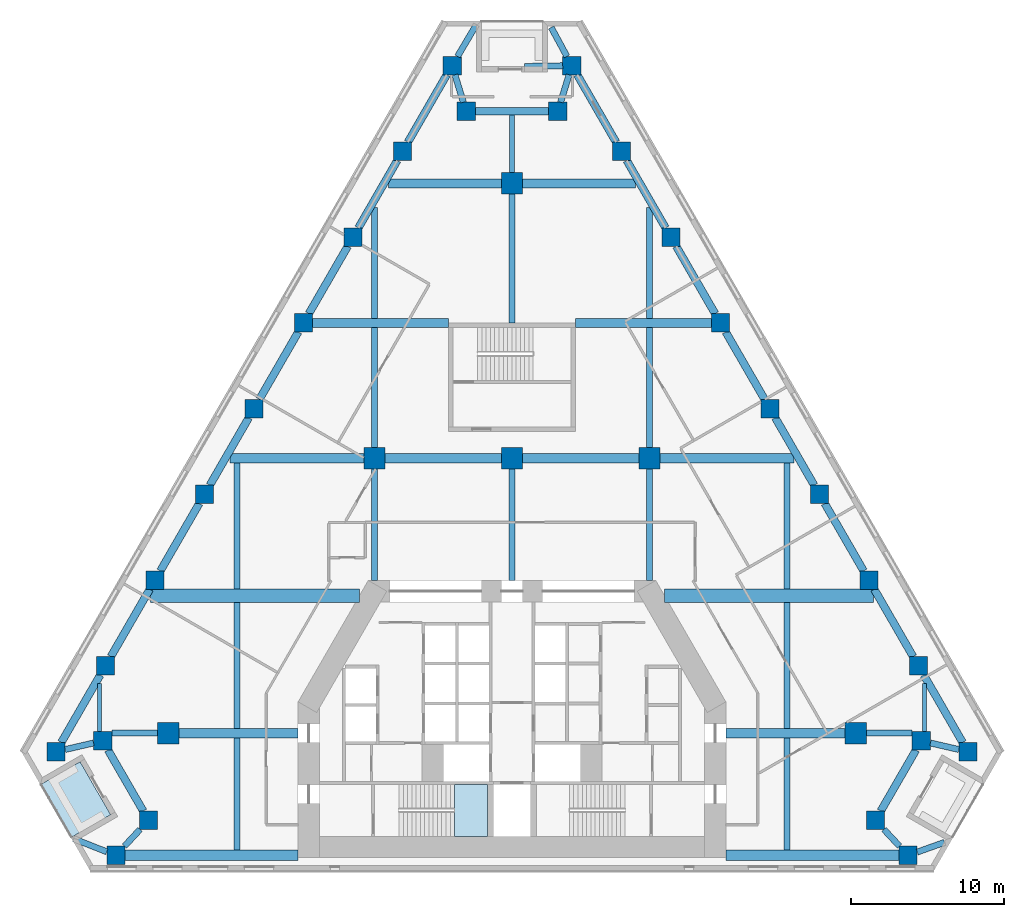
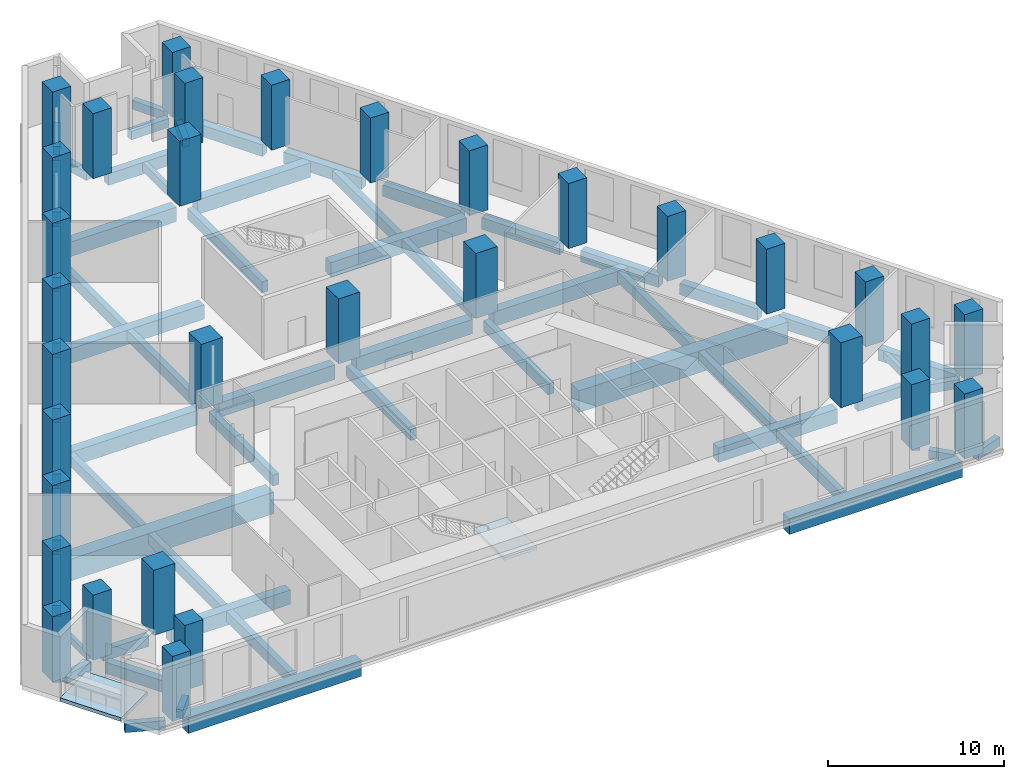
# One storey, part 1 of 10: 63 beams, 32 columns, 2 slabs, 1 element without a shape of its own.
"""IFC4 building model written with IfcOpenShell, lengths in metres."""

import ifcopenshell
import ifcopenshell.guid

model = None  # the IFC model being written
_history = None  # IfcOwnerHistory: only IFC2X3 demands one
_inside = {}  # id of a spatial element -> (the spatial element, [elements in it])
_under = {}  # id of a project, library or spatial element -> (it, [spatial elements below it])
_declared = {}  # id of a project -> (the project, [libraries it declares])
_typed = {}  # id of a type object -> (the type object, [elements of that type])
_made_of = {}  # id of a material, layer set ... -> (it, [elements and type objects made of it])


def new_model(schema):
    """Start an empty IFC model of exactly this schema.

    Asked for "IFC4X3", IfcOpenShell would pick the latest addendum, in which some entities
    have other attributes; the version numbers below select the first issue.
    IFC2X3 requires an IfcOwnerHistory on every rooted entity: one is made here for all.
    """
    global model, _history
    if schema == "IFC4X3":
        model = ifcopenshell.file(schema_version=(4, 3, 0, 0))
    else:
        model = ifcopenshell.file(schema=schema)
    _inside.clear()
    _under.clear()
    _declared.clear()
    _typed.clear()
    _made_of.clear()
    _history = None
    if model.schema == "IFC2X3":
        org = make("IfcOrganization", Name="unknown")
        user = make(
            "IfcPersonAndOrganization",
            ThePerson=make("IfcPerson", FamilyName="unknown"),
            TheOrganization=org,
        )
        app = make(
            "IfcApplication",
            ApplicationDeveloper=org,
            Version="unknown",
            ApplicationFullName="unknown",
            ApplicationIdentifier="unknown",
        )
        _history = make(
            "IfcOwnerHistory",
            OwningUser=user,
            OwningApplication=app,
            ChangeAction="ADDED",
            CreationDate=0,
        )
    return model


def make(cls, **values):
    """One entity of the class cls with the attributes given. An attribute that is None is left unset."""
    return model.create_entity(
        cls, **{name: value for name, value in values.items() if value is not None}
    )


def rooted(cls, **values):
    """An entity with a GlobalId (a new one), such as an element, a storey or a relation."""
    return make(cls, GlobalId=ifcopenshell.guid.new(), OwnerHistory=_history, **values)


def si_unit(unit_type, name, prefix=None):
    """IfcSIUnit, for example si_unit("LENGTHUNIT", "METRE", prefix="MILLI")."""
    return make("IfcSIUnit", UnitType=unit_type, Prefix=prefix, Name=name)


def assignment(units):
    """IfcUnitAssignment: the units of a project."""
    return None if units is None else make("IfcUnitAssignment", Units=units)


def point(xyz):
    """IfcCartesianPoint."""
    return None if xyz is None else make("IfcCartesianPoint", Coordinates=xyz)


def direction(xyz):
    """IfcDirection."""
    return None if xyz is None else make("IfcDirection", DirectionRatios=xyz)


def frame(location, z_axis=None, x_axis=None):
    """IfcAxis2Placement3D, a coordinate frame: its origin and axes. An axis left out is left unset."""
    return make(
        "IfcAxis2Placement3D",
        Location=point(location),
        Axis=direction(z_axis),
        RefDirection=direction(x_axis),
    )


def frame_2d(location, x_axis=None):
    """IfcAxis2Placement2D, a coordinate frame in the plane: its origin and x axis."""
    return make(
        "IfcAxis2Placement2D", Location=point(location), RefDirection=direction(x_axis)
    )


def origin():
    """The frame at (0, 0, 0) with its axes left unset."""
    return frame((0.0, 0.0, 0.0))


def origin_2d():
    """The frame at (0, 0) in the plane with its x axis left unset."""
    return frame_2d((0.0, 0.0))


def place(relative_to, where):
    """IfcLocalPlacement: puts the frame where relative to a parent placement (None: the world)."""
    return make(
        "IfcLocalPlacement", PlacementRelTo=relative_to, RelativePlacement=where
    )


def context(
    kind, dimensions, precision=None, world=None, true_north=None, identifier=None
):
    """IfcGeometricRepresentationContext, for example the 3D "Model" context."""
    return make(
        "IfcGeometricRepresentationContext",
        ContextIdentifier=identifier,
        ContextType=kind,
        CoordinateSpaceDimension=dimensions,
        Precision=precision,
        WorldCoordinateSystem=world,
        TrueNorth=true_north,
    )


def subcontext(parent, identifier, kind, view, scale=None):
    """IfcGeometricRepresentationSubContext, for example "Body" below "Model"."""
    return make(
        "IfcGeometricRepresentationSubContext",
        ContextIdentifier=identifier,
        ContextType=kind,
        ParentContext=parent,
        TargetScale=scale,
        TargetView=view,
    )


def project(units=None, contexts=None):
    """IfcProject with its units and contexts."""
    return rooted(
        "IfcProject",
        Name="project",
        RepresentationContexts=contexts,
        UnitsInContext=assignment(units),
    )


def spatial(cls, under=None, at=None, **own):
    """A site, building, storey or space (cls), placed at a placement, below another one or the project."""
    s = rooted(cls, ObjectPlacement=at, **own)
    if under is not None:
        _under.setdefault(under.id(), (under, []))[1].append(s)
    return s


def polyline(points):
    """IfcPolyline through the points."""
    return make("IfcPolyline", Points=[point(p) for p in points])


def profile(cls, at=None, kind="AREA", **sizes):
    """A parametric profile (cls). Its sizes go by their IFC names, for example OverallWidth=200.0."""
    return make(cls, ProfileType=kind, Position=at, **sizes)


def rectangle(**sizes):
    """IfcRectangleProfileDef."""
    return profile("IfcRectangleProfileDef", **sizes)


def outline(outer, holes=None, kind="AREA"):
    """IfcArbitraryClosedProfileDef: a profile drawn as a closed curve; with holes, ...WithVoids."""
    if holes is None:
        return make("IfcArbitraryClosedProfileDef", ProfileType=kind, OuterCurve=outer)
    return make(
        "IfcArbitraryProfileDefWithVoids",
        ProfileType=kind,
        OuterCurve=outer,
        InnerCurves=holes,
    )


def extrude(swept, where, along, depth):
    """IfcExtrudedAreaSolid: the profile swept, set in the frame where, extruded along a direction by depth."""
    return make(
        "IfcExtrudedAreaSolid",
        SweptArea=swept,
        Position=where,
        ExtrudedDirection=direction(along),
        Depth=depth,
    )


def shape(context_of_items, identifier, shape_type, items):
    """IfcShapeRepresentation: the items that make up one representation, for example the "Body"."""
    return make(
        "IfcShapeRepresentation",
        ContextOfItems=context_of_items,
        RepresentationIdentifier=identifier,
        RepresentationType=shape_type,
        Items=items,
    )


def material(Name=None, Category=None):
    """IfcMaterial."""
    return make("IfcMaterial", Name=Name, Category=Category)


def layer(
    of_material, thickness, ventilated=None, Name=None, Category=None, Priority=None
):
    """IfcMaterialLayer: one layer of a wall or slab, of a material (None: an air gap)."""
    return make(
        "IfcMaterialLayer",
        Material=of_material,
        LayerThickness=thickness,
        IsVentilated=ventilated,
        Name=Name,
        Category=Category,
        Priority=Priority,
    )


def layer_set(layers, Name=None):
    """IfcMaterialLayerSet."""
    return make("IfcMaterialLayerSet", MaterialLayers=layers, LayerSetName=Name)


def material_profile(
    of_material, cross_section, Name=None, Category=None, Priority=None
):
    """IfcMaterialProfile: a cross section and its material."""
    return make(
        "IfcMaterialProfile",
        Name=Name,
        Material=of_material,
        Profile=cross_section,
        Priority=Priority,
        Category=Category,
    )


def profile_set(profiles, Name=None, composite=None):
    """IfcMaterialProfileSet."""
    return make(
        "IfcMaterialProfileSet",
        Name=Name,
        MaterialProfiles=profiles,
        CompositeProfile=composite,
    )


def made_of(thing, what):
    """Note that an element or type object is made of a material, layer set ...; save() writes the relation."""
    if what is not None:
        _made_of.setdefault(what.id(), (what, []))[1].append(thing)
    return thing


def type_object(cls, material=None, **own):
    """A type object (cls), such as IfcWallType, which elements share."""
    return made_of(rooted(cls, **own), material)


def element(
    cls,
    number,
    at=None,
    inside=None,
    cuts=None,
    type_object=None,
    material=None,
    context=None,
    identifier="Body",
    shape_type=None,
    held_by="IfcProductDefinitionShape",
    body=None,
    shapes=None,
    **own,
):
    """One element of the class cls, such as IfcWall. Its Tag is "e" and its number.

    at: its placement. inside: the storey or other place that contains it. cuts: it is an
    opening in that element (IfcRelVoidsElement). A single representation is given by context,
    identifier, shape_type and body (its items); several are given by shapes. held_by: the class
    of the entity that holds the representations. save() writes the other relations.
    """
    e = rooted(cls, Tag="e%d" % number, ObjectPlacement=at, **own)
    if body is not None:
        shapes = [shape(context, identifier, shape_type, body)]
    if shapes is not None:
        e.Representation = make(held_by, Representations=shapes)
    if inside is not None:
        _inside.setdefault(inside.id(), (inside, []))[1].append(e)
    if cuts is not None:
        rooted(
            "IfcRelVoidsElement", RelatingBuildingElement=cuts, RelatedOpeningElement=e
        )
    if type_object is not None:
        _typed.setdefault(type_object.id(), (type_object, []))[1].append(e)
    return made_of(e, material)


def aggregate(whole, parts):
    """IfcRelAggregates: a whole, such as a stair, and the parts it consists of."""
    return rooted("IfcRelAggregates", RelatingObject=whole, RelatedObjects=parts)


def save(model, path):
    """Write the relations noted so far, then the file.

    IfcRelAggregates (storeys below a building ...), IfcRelContainedInSpatialStructure (elements
    in a storey), IfcRelDefinesByType, IfcRelAssociatesMaterial and IfcRelDeclares: one each for
    every whole, place, type object, material and project.
    """
    for whole, parts in _under.values():
        aggregate(whole, parts)
    for where, things in _inside.values():
        rooted(
            "IfcRelContainedInSpatialStructure",
            RelatedElements=things,
            RelatingStructure=where,
        )
    for kind, things in _typed.values():
        rooted("IfcRelDefinesByType", RelatedObjects=things, RelatingType=kind)
    for what, things in _made_of.values():
        rooted("IfcRelAssociatesMaterial", RelatedObjects=things, RelatingMaterial=what)
    for by, libraries in _declared.values():
        rooted("IfcRelDeclares", RelatingContext=by, RelatedDefinitions=libraries)
    model.write(path)


model = new_model("IFC4")

# Units and contexts
model_context = context("Model", 3, precision=1e-05, world=origin(), true_north=direction((0.0, 1.0)))
body_context = subcontext(model_context, "Body", "Model", "MODEL_VIEW")
ifc_project = project(units=[si_unit("LENGTHUNIT", "METRE"), si_unit("AREAUNIT", "SQUARE_METRE"), si_unit("VOLUMEUNIT", "CUBIC_METRE"), si_unit("PLANEANGLEUNIT", "RADIAN"), si_unit("MASSUNIT", "GRAM", prefix="KILO")], contexts=[model_context])

# Site, building, storey
site_placement = place(None, origin())
site = spatial("IfcSite", under=ifc_project, at=site_placement, CompositionType="ELEMENT")
building_placement = place(site_placement, origin())
building = spatial("IfcBuilding", under=site, at=building_placement, Name="Fogline Exchange Tower", CompositionType="ELEMENT")
storey_placement = place(building_placement, frame((0.0, 0.0, 43.0)))
storey = spatial("IfcBuildingStorey", under=building, at=storey_placement, Name="L08", CompositionType="ELEMENT", Elevation=43.0)

# Columns
ifc_material_1 = material(Name="Concrete C80", Category="concrete")
ifc_material_profile_1 = material_profile(ifc_material_1, rectangle(XDim=1.199951171875, YDim=1.199951171875, at=origin_2d()), Name="RC 1200x1200")
ifc_profile_set_1 = profile_set([ifc_material_profile_1], Name="Concrete C80")
column_type_1 = type_object("IfcColumnType", Name="C01", PredefinedType="COLUMN", material=ifc_profile_set_1)
for number, where, z_axis, x_axis, name in (
    (1, (-29.855712890625, 7.794189453125, 0.0), (0.0, 0.0, 1.0), (1.0, 0.0, 0.0), "SW-a"),
    (2, (-26.79638671875, 8.4951171875, 0.0), (0.0, 0.0, 1.0), (1.0, 0.0, 0.0), "SW-p4"),
    (3, (-23.79638671875, 3.299072265625, 0.0), (0.0, 0.0, 1.0), (1.0, 0.0, 0.0), "SW-p3"),
    (4, (-25.93310546875, 1.0, 0.0), (0.0, 0.0, 1.0), (1.0, 0.0, 0.0), "SW-b"),
    (5, (25.93310546875, 1.0, 0.0), (0.0, 0.0, 1.0), (1.0, 0.0, 0.0), "SE-a"),
    (6, (23.79638671875, 3.299072265625, 0.0), (0.0, 0.0, 1.0), (1.0, 0.0, 0.0), "SE-p4"),
    (7, (26.79638671875, 8.4951171875, 0.0), (0.0, 0.0, 1.0), (1.0, 0.0, 0.0), "SE-p3"),
    (8, (29.855712890625, 7.794189453125, 0.0), (0.0, 0.0, 1.0), (1.0, 0.0, 0.0), "SE-b"),
    (9, (26.614013671875, 13.408935546875, 0.0), (0.0, 0.0, 1.0), (1.0, 0.0, 0.0), "E1"),
    (10, (23.37255859375, 19.023681640625, 0.0), (0.0, 0.0, 1.0), (1.0, 0.0, 0.0), "E2"),
    (11, (20.130859375, 24.63818359375, 0.0), (0.0, 0.0, 1.0), (1.0, 0.0, 0.0), "E3"),
    (12, (16.88916015625, 30.2529296875, 0.0), (0.0, 0.0, 1.0), (1.0, 0.0, 0.0), "E4"),
    (13, (13.647705078125, 35.86767578125, 0.0), (0.0, 0.0, 1.0), (1.0, 0.0, 0.0), "E5"),
    (14, (10.406005859375, 41.482421875, 0.0), (0.0, 0.0, 1.0), (1.0, 0.0, 0.0), "E6"),
    (15, (7.164306640625, 47.096923828125, 0.0), (0.0, 0.0, 1.0), (1.0, 0.0, 0.0), "E7"),
    (16, (3.922607421875, 52.711669921875, 0.0), (0.0, 0.0, 1.0), (1.0, 0.0, 0.0), "N-a"),
    (17, (3.0, 49.711669921875, 0.0), (0.0, 0.0, 1.0), (1.0, 0.0, 0.0), "N-p4"),
    (18, (-3.0, 49.711669921875, 0.0), (0.0, 0.0, 1.0), (1.0, 0.0, 0.0), "N-p3"),
    (19, (-3.922607421875, 52.711669921875, 0.0), (0.0, 0.0, 1.0), (1.0, 0.0, 0.0), "N-b"),
    (20, (-7.164306640625, 47.096923828125, 0.0), (0.0, 0.0, 1.0), (1.0, 0.0, 0.0), "W1"),
    (21, (-10.406005859375, 41.482421875, 0.0), (0.0, 0.0, 1.0), (1.0, 0.0, 0.0), "W2"),
    (22, (-13.647705078125, 35.86767578125, 0.0), (0.0, 0.0, 1.0), (1.0, 0.0, 0.0), "W3"),
    (23, (-16.88916015625, 30.2529296875, 0.0), (0.0, 0.0, 1.0), (1.0, 0.0, 0.0), "W4"),
    (24, (-20.130859375, 24.63818359375, 0.0), (0.0, 0.0, 1.0), (1.0, 0.0, 0.0), "W5"),
    (25, (-23.37255859375, 19.023681640625, 0.0), (0.0, 0.0, 1.0), (1.0, 0.0, 0.0), "W6"),
    (26, (-26.614013671875, 13.408935546875, 0.0), (0.0, 0.0, 1.0), (1.0, 0.0, 0.0), "W7"),
):
    element("IfcColumn", number, at=place(storey_placement, frame(where, z_axis=z_axis, x_axis=x_axis)), inside=storey, type_object=column_type_1, Name=name, PredefinedType="COLUMN", context=body_context, shape_type="SweptSolid", body=[
        extrude(rectangle(XDim=1.199951171875, YDim=1.199951171875, at=origin_2d()), origin(), (0.0, 0.0, 1.0), 4.5),
    ])
ifc_material_profile_2 = material_profile(ifc_material_1, rectangle(XDim=1.39990234375, YDim=1.39990234375, at=origin_2d()), Name="RC 1400x1400")
ifc_profile_set_2 = profile_set([ifc_material_profile_2], Name="Concrete C80")
column_type_2 = type_object("IfcColumnType", Name="C02", PredefinedType="COLUMN", material=ifc_profile_set_2)
for number, where, z_axis, x_axis, name in (
    (27, (-9.0, 27.0, 0.0), (0.0, 0.0, 1.0), (1.0, 0.0, 0.0), "IC--9-27"),
    (28, (0.0, 27.0, 0.0), (0.0, 0.0, 1.0), (1.0, 0.0, 0.0), "IC-0-27"),
    (29, (9.0, 27.0, 0.0), (0.0, 0.0, 1.0), (1.0, 0.0, 0.0), "IC-9-27"),
    (30, (0.0, 45.0, 0.0), (0.0, 0.0, 1.0), (1.0, 0.0, 0.0), "IC-0-45"),
    (31, (-22.5, 9.0, 0.0), (0.0, 0.0, 1.0), (1.0, 0.0, 0.0), "IC--225-9"),
    (32, (22.5, 9.0, 0.0), (0.0, 0.0, 1.0), (1.0, 0.0, 0.0), "IC-225-9"),
):
    element("IfcColumn", number, at=place(storey_placement, frame(where, z_axis=z_axis, x_axis=x_axis)), inside=storey, type_object=column_type_2, Name=name, PredefinedType="COLUMN", context=body_context, shape_type="SweptSolid", body=[
        extrude(rectangle(XDim=1.39990234375, YDim=1.39990234375, at=origin_2d()), origin(), (0.0, 0.0, 1.0), 4.5),
    ])

# Beams
ifc_material_2 = material(Name="Concrete C40", Category="concrete")
ifc_material_profile_3 = material_profile(ifc_material_2, rectangle(XDim=0.89990234375, YDim=1.5, at=origin_2d()), Name="RC 900x1500")
ifc_profile_set_3 = profile_set([ifc_material_profile_3], Name="Concrete C40")
beam_type_1 = type_object("IfcBeamType", Name="B01", PredefinedType="BEAM", material=ifc_profile_set_3)
for number, where, z_axis, x_axis, name in (
    (33, (-23.6748046875, 18.0, -1.050048828125), (1.0, 0.0, 0.0), (0.0, 1.0, 0.0), "GB005"),
    (34, (9.989013671875, 18.0, -1.050048828125), (1.0, 0.0, 0.0), (0.0, 1.0, 0.0), "GB006"),
):
    element("IfcBeam", number, at=place(storey_placement, frame(where, z_axis=z_axis, x_axis=x_axis)), inside=storey, type_object=beam_type_1, Name=name, PredefinedType="BEAM", context=body_context, shape_type="SweptSolid", body=[
        extrude(rectangle(XDim=0.89990234375, YDim=1.5, at=origin_2d()), origin(), (0.0, 0.0, 1.0), 13.685791015625),
    ])
ifc_material_profile_4 = material_profile(ifc_material_2, rectangle(XDim=0.60009765625, YDim=1.0, at=origin_2d()), Name="RC 600x1000")
ifc_profile_set_4 = profile_set([ifc_material_profile_4], Name="Concrete C40")
beam_type_2 = type_object("IfcBeamType", Name="B03", PredefinedType="BEAM", material=ifc_profile_set_4)
for number, where, z_axis, x_axis, name in (
    (35, (-21.800048828125, 9.0, -0.800048828125), (1.0, 0.0, 0.0), (0.0, 1.0, 0.0), "GB002"),
    (36, (14.0, 9.0, -0.800048828125), (1.0, 0.0, 0.0), (0.0, 1.0, 0.0), "GB003"),
):
    element("IfcBeam", number, at=place(storey_placement, frame(where, z_axis=z_axis, x_axis=x_axis)), inside=storey, type_object=beam_type_2, Name=name, PredefinedType="BEAM", context=body_context, shape_type="SweptSolid", body=[
        extrude(rectangle(XDim=0.60009765625, YDim=1.0, at=origin_2d()), origin(), (0.0, 0.0, 1.0), 7.800048828125),
    ])
beam_1_placement = place(storey_placement, frame((-18.478515625, 27.0, -0.800048828125), z_axis=(1.0, 0.0, 0.0), x_axis=(0.0, 1.0, 0.0)))
element("IfcBeam", 37, at=beam_1_placement, inside=storey, type_object=beam_type_2, Name="GB007", PredefinedType="BEAM", context=body_context, shape_type="SweptSolid", body=[
    extrude(rectangle(XDim=0.60009765625, YDim=1.0, at=origin_2d()), origin(), (0.0, 0.0, 1.0), 8.778564453125),
])
for number, where, z_axis, x_axis, name in (
    (38, (-8.300048828125, 27.0, -0.800048828125), (1.0, 0.0, 0.0), (0.0, 1.0, 0.0), "GB008"),
    (39, (0.699951171875, 27.0, -0.800048828125), (1.0, 0.0, 0.0), (0.0, 1.0, 0.0), "GB009"),
):
    element("IfcBeam", number, at=place(storey_placement, frame(where, z_axis=z_axis, x_axis=x_axis)), inside=storey, type_object=beam_type_2, Name=name, PredefinedType="BEAM", context=body_context, shape_type="SweptSolid", body=[
        extrude(rectangle(XDim=0.60009765625, YDim=1.0, at=origin_2d()), origin(), (0.0, 0.0, 1.0), 7.60009765625),
    ])
beam_2_placement = place(storey_placement, frame((9.699951171875, 27.0, -0.800048828125), z_axis=(1.0, 0.0, 0.0), x_axis=(0.0, 1.0, 0.0)))
element("IfcBeam", 40, at=beam_2_placement, inside=storey, type_object=beam_type_2, Name="GB010", PredefinedType="BEAM", context=body_context, shape_type="SweptSolid", body=[
    extrude(rectangle(XDim=0.60009765625, YDim=1.0, at=origin_2d()), origin(), (0.0, 0.0, 1.0), 8.778564453125),
])
for number, where, z_axis, x_axis, name in (
    (41, (-13.047607421875, 35.85693359375, -0.800048828125), (1.0, 0.0, 0.0), (0.0, 1.0, 0.0), "GB011"),
    (42, (4.14990234375, 35.85693359375, -0.800048828125), (1.0, 0.0, 0.0), (0.0, 1.0, 0.0), "GB012"),
):
    element("IfcBeam", number, at=place(storey_placement, frame(where, z_axis=z_axis, x_axis=x_axis)), inside=storey, type_object=beam_type_2, Name=name, PredefinedType="BEAM", context=body_context, shape_type="SweptSolid", body=[
        extrude(rectangle(XDim=0.60009765625, YDim=1.0, at=origin_2d()), origin(), (0.0, 0.0, 1.0), 8.897705078125),
    ])
for number, where, z_axis, x_axis, name in (
    (43, (-8.086181640625, 45.0, -0.800048828125), (1.0, 0.0, 0.0), (0.0, 1.0, 0.0), "GB013"),
    (44, (0.699951171875, 45.0, -0.800048828125), (1.0, 0.0, 0.0), (0.0, 1.0, 0.0), "GB014"),
):
    element("IfcBeam", number, at=place(storey_placement, frame(where, z_axis=z_axis, x_axis=x_axis)), inside=storey, type_object=beam_type_2, Name=name, PredefinedType="BEAM", context=body_context, shape_type="SweptSolid", body=[
        extrude(rectangle(XDim=0.60009765625, YDim=1.0, at=origin_2d()), origin(), (0.0, 0.0, 1.0), 7.38623046875),
    ])
ifc_material_profile_5 = material_profile(ifc_material_2, rectangle(XDim=0.39990234375, YDim=0.75, at=origin_2d()), Name="RC 400x750")
ifc_profile_set_5 = profile_set([ifc_material_profile_5], Name="Concrete C40")
beam_type_3 = type_object("IfcBeamType", Name="B05", PredefinedType="BEAM", material=ifc_profile_set_5)
for number, where, z_axis, x_axis, name in (
    (45, (-26.1962890625, 9.0, -0.675048828125), (1.0, 0.0, 0.0), (0.0, 1.0, 0.0), "GB001"),
    (46, (23.199951171875, 9.0, -0.675048828125), (1.0, 0.0, 0.0), (0.0, 1.0, 0.0), "GB004"),
):
    element("IfcBeam", number, at=place(storey_placement, frame(where, z_axis=z_axis, x_axis=x_axis)), inside=storey, type_object=beam_type_3, Name=name, PredefinedType="BEAM", context=body_context, shape_type="SweptSolid", body=[
        extrude(rectangle(XDim=0.39990234375, YDim=0.75, at=origin_2d()), origin(), (0.0, 0.0, 1.0), 2.996337890625),
    ])
beam_3_placement = place(storey_placement, frame((-18.0, 1.35009765625, -0.675048828125), z_axis=(0.0, 1.0, 0.0), x_axis=(-1.0, 0.0, 0.0)))
element("IfcBeam", 47, at=beam_3_placement, inside=storey, type_object=beam_type_3, Name="SB002", PredefinedType="BEAM", context=body_context, shape_type="SweptSolid", body=[
    extrude(rectangle(XDim=0.39990234375, YDim=0.75, at=origin_2d()), origin(), (0.0, 0.0, 1.0), 7.349853515625),
])
for number, where, z_axis, x_axis, name in (
    (48, (-18.0, 9.300048828125, -0.675048828125), (0.0, 1.0, 0.0), (-1.0, 0.0, 0.0), "SB003"),
    (49, (-18.0, 18.449951171875, -0.675048828125), (0.0, 1.0, 0.0), (-1.0, 0.0, 0.0), "SB004"),
):
    element("IfcBeam", number, at=place(storey_placement, frame(where, z_axis=z_axis, x_axis=x_axis)), inside=storey, type_object=beam_type_3, Name=name, PredefinedType="BEAM", context=body_context, shape_type="SweptSolid", body=[
        extrude(rectangle(XDim=0.39990234375, YDim=0.75, at=origin_2d()), origin(), (0.0, 0.0, 1.0), 8.25),
    ])
beam_4_placement = place(storey_placement, frame((-9.0, 19.0, -0.675048828125), z_axis=(0.0, 1.0, 0.0), x_axis=(-1.0, 0.0, 0.0)))
element("IfcBeam", 50, at=beam_4_placement, inside=storey, type_object=beam_type_3, Name="SB005", PredefinedType="BEAM", context=body_context, shape_type="SweptSolid", body=[
    extrude(rectangle(XDim=0.39990234375, YDim=0.75, at=origin_2d()), origin(), (0.0, 0.0, 1.0), 7.300048828125),
])
beam_5_placement = place(storey_placement, frame((-9.0, 27.699951171875, -0.675048828125), z_axis=(0.0, 1.0, 0.0), x_axis=(-1.0, 0.0, 0.0)))
element("IfcBeam", 51, at=beam_5_placement, inside=storey, type_object=beam_type_3, Name="SB006", PredefinedType="BEAM", context=body_context, shape_type="SweptSolid", body=[
    extrude(rectangle(XDim=0.39990234375, YDim=0.75, at=origin_2d()), origin(), (0.0, 0.0, 1.0), 7.85693359375),
])
beam_6_placement = place(storey_placement, frame((-9.0, 36.156982421875, -0.675048828125), z_axis=(0.0, 1.0, 0.0), x_axis=(-1.0, 0.0, 0.0)))
element("IfcBeam", 52, at=beam_6_placement, inside=storey, type_object=beam_type_3, Name="SB007", PredefinedType="BEAM", context=body_context, shape_type="SweptSolid", body=[
    extrude(rectangle(XDim=0.39990234375, YDim=0.75, at=origin_2d()), origin(), (0.0, 0.0, 1.0), 7.260498046875),
])
beam_7_placement = place(storey_placement, frame((0.0, 19.0, -0.675048828125), z_axis=(0.0, 1.0, 0.0), x_axis=(-1.0, 0.0, 0.0)))
element("IfcBeam", 53, at=beam_7_placement, inside=storey, type_object=beam_type_3, Name="SB008", PredefinedType="BEAM", context=body_context, shape_type="SweptSolid", body=[
    extrude(rectangle(XDim=0.39990234375, YDim=0.75, at=origin_2d()), origin(), (0.0, 0.0, 1.0), 7.300048828125),
])
beam_8_placement = place(storey_placement, frame((0.0, 35.85693359375, -0.675048828125), z_axis=(0.0, 1.0, 0.0), x_axis=(-1.0, 0.0, 0.0)))
element("IfcBeam", 54, at=beam_8_placement, inside=storey, type_object=beam_type_3, Name="SB009", PredefinedType="BEAM", context=body_context, shape_type="SweptSolid", body=[
    extrude(rectangle(XDim=0.39990234375, YDim=0.75, at=origin_2d()), origin(), (0.0, 0.0, 1.0), 8.443115234375),
])
beam_9_placement = place(storey_placement, frame((9.0, 19.0, -0.675048828125), z_axis=(0.0, 1.0, 0.0), x_axis=(-1.0, 0.0, 0.0)))
element("IfcBeam", 55, at=beam_9_placement, inside=storey, type_object=beam_type_3, Name="SB011", PredefinedType="BEAM", context=body_context, shape_type="SweptSolid", body=[
    extrude(rectangle(XDim=0.39990234375, YDim=0.75, at=origin_2d()), origin(), (0.0, 0.0, 1.0), 7.300048828125),
])
beam_10_placement = place(storey_placement, frame((9.0, 27.699951171875, -0.675048828125), z_axis=(0.0, 1.0, 0.0), x_axis=(-1.0, 0.0, 0.0)))
element("IfcBeam", 56, at=beam_10_placement, inside=storey, type_object=beam_type_3, Name="SB012", PredefinedType="BEAM", context=body_context, shape_type="SweptSolid", body=[
    extrude(rectangle(XDim=0.39990234375, YDim=0.75, at=origin_2d()), origin(), (0.0, 0.0, 1.0), 7.85693359375),
])
beam_11_placement = place(storey_placement, frame((9.0, 36.156982421875, -0.675048828125), z_axis=(0.0, 1.0, 0.0), x_axis=(-1.0, 0.0, 0.0)))
element("IfcBeam", 57, at=beam_11_placement, inside=storey, type_object=beam_type_3, Name="SB013", PredefinedType="BEAM", context=body_context, shape_type="SweptSolid", body=[
    extrude(rectangle(XDim=0.39990234375, YDim=0.75, at=origin_2d()), origin(), (0.0, 0.0, 1.0), 7.260498046875),
])
beam_12_placement = place(storey_placement, frame((18.0, 1.35009765625, -0.675048828125), z_axis=(0.0, 1.0, 0.0), x_axis=(-1.0, 0.0, 0.0)))
element("IfcBeam", 58, at=beam_12_placement, inside=storey, type_object=beam_type_3, Name="SB014", PredefinedType="BEAM", context=body_context, shape_type="SweptSolid", body=[
    extrude(rectangle(XDim=0.39990234375, YDim=0.75, at=origin_2d()), origin(), (0.0, 0.0, 1.0), 7.349853515625),
])
for number, where, z_axis, x_axis, name in (
    (59, (18.0, 9.300048828125, -0.675048828125), (0.0, 1.0, 0.0), (-1.0, 0.0, 0.0), "SB015"),
    (60, (18.0, 18.449951171875, -0.675048828125), (0.0, 1.0, 0.0), (-1.0, 0.0, 0.0), "SB016"),
):
    element("IfcBeam", number, at=place(storey_placement, frame(where, z_axis=z_axis, x_axis=x_axis)), inside=storey, type_object=beam_type_3, Name=name, PredefinedType="BEAM", context=body_context, shape_type="SweptSolid", body=[
        extrude(rectangle(XDim=0.39990234375, YDim=0.75, at=origin_2d()), origin(), (0.0, 0.0, 1.0), 8.25),
    ])
ifc_material_profile_6 = material_profile(ifc_material_2, rectangle(XDim=0.300048828125, YDim=0.60009765625, at=origin_2d()), Name="RC 300x600")
ifc_profile_set_6 = profile_set([ifc_material_profile_6], Name="Concrete C40")
beam_type_4 = type_object("IfcBeamType", Name="B06", PredefinedType="BEAM", material=ifc_profile_set_6)
beam_13_placement = place(storey_placement, frame((0.0, 45.699951171875, -0.60009765625), z_axis=(0.0, 1.0, 0.0), x_axis=(-1.0, 0.0, 0.0)))
element("IfcBeam", 61, at=beam_13_placement, inside=storey, type_object=beam_type_4, Name="SB010", PredefinedType="BEAM", context=body_context, shape_type="SweptSolid", body=[
    extrude(rectangle(XDim=0.300048828125, YDim=0.60009765625, at=origin_2d()), origin(), (0.0, 0.0, 1.0), 3.76171875),
])
ifc_material_profile_7 = material_profile(ifc_material_2, rectangle(XDim=0.25, YDim=0.5, at=origin_2d()), Name="RC 250x500")
ifc_profile_set_7 = profile_set([ifc_material_profile_7], Name="Concrete C40")
beam_type_5 = type_object("IfcBeamType", Name="B08", PredefinedType="BEAM", material=ifc_profile_set_7)
for number, where, z_axis, x_axis, name in (
    (62, (-27.0, 9.09521484375, -0.550048828125), (0.0, 1.0, 0.0), (-1.0, 0.0, 0.0), "SB001"),
    (63, (27.0, 9.09521484375, -0.550048828125), (0.0, 1.0, 0.0), (-1.0, 0.0, 0.0), "SB017"),
):
    element("IfcBeam", number, at=place(storey_placement, frame(where, z_axis=z_axis, x_axis=x_axis)), inside=storey, type_object=beam_type_5, Name=name, PredefinedType="BEAM", context=body_context, shape_type="SweptSolid", body=[
        extrude(rectangle(XDim=0.25, YDim=0.5, at=origin_2d()), origin(), (0.0, 0.0, 1.0), 3.145263671875),
    ])
ifc_material_profile_8 = material_profile(ifc_material_2, rectangle(XDim=0.5, YDim=0.800048828125, at=origin_2d()), Name="RC 500x800")
ifc_profile_set_8 = profile_set([ifc_material_profile_8], Name="Concrete C40")
beam_type_6 = type_object("IfcBeamType", Name="B10", PredefinedType="BEAM", material=ifc_profile_set_8)
for number, where, z_axis, x_axis, name in (
    (64, (-26.449951171875, 7.895263671875, -0.699951171875), (0.500014024385, -0.866017306651, 0.0), (0.866017306651, 0.500014024385, 0.0), "RB002"),
    (65, (24.142578125, 3.89892578125, -0.699951171875), (0.500014024385, 0.866017306651, 0.0), (-0.866017306651, 0.500014024385, 0.0), "RB007"),
):
    element("IfcBeam", number, at=place(storey_placement, frame(where, z_axis=z_axis, x_axis=x_axis)), inside=storey, type_object=beam_type_6, Name=name, PredefinedType="BEAM", context=body_context, shape_type="SweptSolid", body=[
        extrude(rectangle(XDim=0.5, YDim=0.800048828125, at=origin_2d()), origin(), (0.0, 0.0, 1.0), 4.614501953125),
    ])
beam_14_placement = place(storey_placement, frame((29.50927734375, 8.394287109375, -0.699951171875), z_axis=(-0.500012659481, 0.866018094706, 0.0), x_axis=(-0.866018094706, -0.500012659481, 0.0)))
element("IfcBeam", 66, at=beam_14_placement, inside=storey, type_object=beam_type_6, Name="RB009", PredefinedType="BEAM", context=body_context, shape_type="SweptSolid", body=[
    extrude(rectangle(XDim=0.5, YDim=0.800048828125, at=origin_2d()), origin(), (0.0, 0.0, 1.0), 5.097412109375),
])
for number, where, z_axis, x_axis, name in (
    (67, (26.267578125, 14.0087890625, -0.699951171875), (-0.499956000529, 0.8660508054, 0.0), (-0.8660508054, -0.499956000529, 0.0), "RB010"),
    (68, (23.026123046875, 19.62353515625, -0.699951171875), (-0.499991921166, 0.866030068051, 0.0), (-0.866030068051, -0.499991921166, 0.0), "RB011"),
):
    element("IfcBeam", number, at=place(storey_placement, frame(where, z_axis=z_axis, x_axis=x_axis)), inside=storey, type_object=beam_type_6, Name=name, PredefinedType="BEAM", context=body_context, shape_type="SweptSolid", body=[
        extrude(rectangle(XDim=0.5, YDim=0.800048828125, at=origin_2d()), origin(), (0.0, 0.0, 1.0), 5.09765625),
    ])
beam_15_placement = place(storey_placement, frame((19.784423828125, 25.23828125, -0.699951171875), z_axis=(-0.500012659481, 0.866018094706, 0.0), x_axis=(-0.866018094706, -0.500012659481, 0.0)))
element("IfcBeam", 69, at=beam_15_placement, inside=storey, type_object=beam_type_6, Name="RB012", PredefinedType="BEAM", context=body_context, shape_type="SweptSolid", body=[
    extrude(rectangle(XDim=0.5, YDim=0.800048828125, at=origin_2d()), origin(), (0.0, 0.0, 1.0), 5.097412109375),
])
for number, where, z_axis, x_axis, name in (
    (70, (16.542724609375, 30.852783203125, -0.699951171875), (-0.499991921166, 0.866030068051, 0.0), (-0.866030068051, -0.499991921166, 0.0), "RB013"),
    (71, (13.301025390625, 36.467529296875, -0.699951171875), (-0.499991921166, 0.866030068051, 0.0), (-0.866030068051, -0.499991921166, 0.0), "RB014"),
    (72, (10.0595703125, 42.082275390625, -0.699951171875), (-0.499991921166, 0.866030068051, 0.0), (-0.866030068051, -0.499991921166, 0.0), "RB015"),
    (73, (6.81787109375, 47.697021484375, -0.699951171875), (-0.499991921166, 0.866030068051, 0.0), (-0.866030068051, -0.499991921166, 0.0), "RB016"),
):
    element("IfcBeam", number, at=place(storey_placement, frame(where, z_axis=z_axis, x_axis=x_axis)), inside=storey, type_object=beam_type_6, Name=name, PredefinedType="BEAM", context=body_context, shape_type="SweptSolid", body=[
        extrude(rectangle(XDim=0.5, YDim=0.800048828125, at=origin_2d()), origin(), (0.0, 0.0, 1.0), 5.09765625),
    ])
beam_16_placement = place(storey_placement, frame((2.39990234375, 49.711669921875, -0.699951171875), z_axis=(-1.0, 0.0, 0.0), x_axis=(0.0, -1.0, 0.0)))
element("IfcBeam", 74, at=beam_16_placement, inside=storey, type_object=beam_type_6, Name="RB018", PredefinedType="BEAM", context=body_context, shape_type="SweptSolid", body=[
    extrude(rectangle(XDim=0.5, YDim=0.800048828125, at=origin_2d()), origin(), (0.0, 0.0, 1.0), 4.7998046875),
])
for number, where, z_axis, x_axis, name in (
    (75, (-4.26904296875, 52.11181640625, -0.699951171875), (-0.499991921166, -0.866030068051, 0.0), (0.866030068051, -0.499991921166, 0.0), "RB020"),
    (76, (-7.5107421875, 46.4970703125, -0.699951171875), (-0.499991921166, -0.866030068051, 0.0), (0.866030068051, -0.499991921166, 0.0), "RB021"),
    (77, (-10.752197265625, 40.88232421875, -0.699951171875), (-0.499991921166, -0.866030068051, 0.0), (0.866030068051, -0.499991921166, 0.0), "RB022"),
    (78, (-13.993896484375, 35.267578125, -0.699951171875), (-0.499991921166, -0.866030068051, 0.0), (0.866030068051, -0.499991921166, 0.0), "RB023"),
):
    element("IfcBeam", number, at=place(storey_placement, frame(where, z_axis=z_axis, x_axis=x_axis)), inside=storey, type_object=beam_type_6, Name=name, PredefinedType="BEAM", context=body_context, shape_type="SweptSolid", body=[
        extrude(rectangle(XDim=0.5, YDim=0.800048828125, at=origin_2d()), origin(), (0.0, 0.0, 1.0), 5.09765625),
    ])
beam_17_placement = place(storey_placement, frame((-17.235595703125, 29.65283203125, -0.699951171875), z_axis=(-0.500012659481, -0.866018094706, 0.0), x_axis=(0.866018094706, -0.500012659481, 0.0)))
element("IfcBeam", 79, at=beam_17_placement, inside=storey, type_object=beam_type_6, Name="RB024", PredefinedType="BEAM", context=body_context, shape_type="SweptSolid", body=[
    extrude(rectangle(XDim=0.5, YDim=0.800048828125, at=origin_2d()), origin(), (0.0, 0.0, 1.0), 5.097412109375),
])
for number, where, z_axis, x_axis, name in (
    (80, (-20.477294921875, 24.038330078125, -0.699951171875), (-0.499991921166, -0.866030068051, 0.0), (0.866030068051, -0.499991921166, 0.0), "RB025"),
    (81, (-23.718994140625, 18.423583984375, -0.699951171875), (-0.499956000529, -0.8660508054, 0.0), (0.8660508054, -0.499956000529, 0.0), "RB026"),
):
    element("IfcBeam", number, at=place(storey_placement, frame(where, z_axis=z_axis, x_axis=x_axis)), inside=storey, type_object=beam_type_6, Name=name, PredefinedType="BEAM", context=body_context, shape_type="SweptSolid", body=[
        extrude(rectangle(XDim=0.5, YDim=0.800048828125, at=origin_2d()), origin(), (0.0, 0.0, 1.0), 5.09765625),
    ])
beam_18_placement = place(storey_placement, frame((-26.96044921875, 12.808837890625, -0.699951171875), z_axis=(-0.500012659481, -0.866018094706, 0.0), x_axis=(0.866018094706, -0.500012659481, 0.0)))
element("IfcBeam", 82, at=beam_18_placement, inside=storey, type_object=beam_type_6, Name="RB027", PredefinedType="BEAM", context=body_context, shape_type="SweptSolid", body=[
    extrude(rectangle(XDim=0.5, YDim=0.800048828125, at=origin_2d()), origin(), (0.0, 0.0, 1.0), 5.097412109375),
])
ifc_material_profile_9 = material_profile(ifc_material_2, rectangle(XDim=0.39990234375, YDim=0.60009765625, at=origin_2d()), Name="RC 400x600")
ifc_profile_set_9 = profile_set([ifc_material_profile_9], Name="Concrete C40")
beam_type_7 = type_object("IfcBeamType", Name="B11", PredefinedType="BEAM", material=ifc_profile_set_9)
beam_19_placement = place(storey_placement, frame((-29.255615234375, 7.931640625, -0.60009765625), z_axis=(0.974741606569, 0.223335622829, 0.0), x_axis=(-0.223335622829, 0.974741606569, 0.0)))
element("IfcBeam", 83, at=beam_19_placement, inside=storey, type_object=beam_type_7, Name="RB001", PredefinedType="BEAM", context=body_context, shape_type="SweptSolid", body=[
    extrude(rectangle(XDim=0.39990234375, YDim=0.60009765625, at=origin_2d()), origin(), (0.0, 0.0, 1.0), 1.907470703125),
])
for number, where, z_axis, x_axis, name in (
    (84, (-24.35400390625, 2.698974609375, -0.60009765625), (-0.680844217962, -0.732428256464, 0.0), (0.732428256464, -0.680844217962, 0.0), "RB003"),
    (85, (25.37548828125, 1.60009765625, -0.60009765625), (-0.680844217962, 0.732428256464, 0.0), (-0.732428256464, -0.680844217962, 0.0), "RB006"),
):
    element("IfcBeam", number, at=place(storey_placement, frame(where, z_axis=z_axis, x_axis=x_axis)), inside=storey, type_object=beam_type_7, Name=name, PredefinedType="BEAM", context=body_context, shape_type="SweptSolid", body=[
        extrude(rectangle(XDim=0.39990234375, YDim=0.60009765625, at=origin_2d()), origin(), (0.0, 0.0, 1.0), 1.500244140625),
    ])
beam_20_placement = place(storey_placement, frame((27.396240234375, 8.357666015625, -0.60009765625), z_axis=(0.974741606569, -0.223335622829, 0.0), x_axis=(0.223335622829, 0.974741606569, 0.0)))
element("IfcBeam", 86, at=beam_20_placement, inside=storey, type_object=beam_type_7, Name="RB008", PredefinedType="BEAM", context=body_context, shape_type="SweptSolid", body=[
    extrude(rectangle(XDim=0.39990234375, YDim=0.60009765625, at=origin_2d()), origin(), (0.0, 0.0, 1.0), 1.907470703125),
])
for number, where, z_axis, x_axis, name in (
    (87, (3.738037109375, 52.11181640625, -0.60009765625), (-0.293894535925, -0.955837853275, 0.0), (0.955837853275, -0.293894535925, 0.0), "RB017"),
    (88, (-3.1845703125, 50.311767578125, -0.60009765625), (-0.293894535925, 0.955837853275, 0.0), (-0.955837853275, -0.293894535925, 0.0), "RB019"),
):
    element("IfcBeam", number, at=place(storey_placement, frame(where, z_axis=z_axis, x_axis=x_axis)), inside=storey, type_object=beam_type_7, Name=name, PredefinedType="BEAM", context=body_context, shape_type="SweptSolid", body=[
        extrude(rectangle(XDim=0.39990234375, YDim=0.60009765625, at=origin_2d()), origin(), (0.0, 0.0, 1.0), 1.88330078125),
    ])
beam_21_placement = place(storey_placement, frame((-3.56689453125, 53.311767578125, -0.60009765625), z_axis=(0.509966509953, 0.86019425639, 0.0), x_axis=(-0.86019425639, 0.509966509953, 0.0)))
element("IfcBeam", 89, at=beam_21_placement, inside=storey, type_object=beam_type_7, Name="SP028", PredefinedType="BEAM", context=body_context, shape_type="SweptSolid", body=[
    extrude(rectangle(XDim=0.39990234375, YDim=0.60009765625, at=origin_2d()), origin(), (0.0, 0.0, 1.0), 2.40576171875),
])
beam_22_placement = place(storey_placement, frame((3.59716796875, 53.311767578125, -0.60009765625), z_axis=(-0.476811976158, 0.879005312494, 0.0), x_axis=(-0.879005312494, -0.476811976158, 0.0)))
element("IfcBeam", 90, at=beam_22_placement, inside=storey, type_object=beam_type_7, Name="SP029", PredefinedType="BEAM", context=body_context, shape_type="SweptSolid", body=[
    extrude(rectangle(XDim=0.39990234375, YDim=0.60009765625, at=origin_2d()), origin(), (0.0, 0.0, 1.0), 2.15625),
])
beam_23_placement = place(storey_placement, frame((-26.533203125, 1.235107421875, -0.60009765625), z_axis=(-0.930973895847, 0.365085750546, 0.0), x_axis=(-0.365085750546, -0.930973895847, 0.0)))
element("IfcBeam", 91, at=beam_23_placement, inside=storey, type_object=beam_type_7, Name="SP030", PredefinedType="BEAM", context=body_context, shape_type="SweptSolid", body=[
    extrude(rectangle(XDim=0.39990234375, YDim=0.60009765625, at=origin_2d()), origin(), (0.0, 0.0, 1.0), 2.333251953125),
])
beam_24_placement = place(storey_placement, frame((26.533203125, 1.214599609375, -0.60009765625), z_axis=(0.94166350691, 0.336555849383, 0.0), x_axis=(-0.336555849383, 0.94166350691, 0.0)))
element("IfcBeam", 92, at=beam_24_placement, inside=storey, type_object=beam_type_7, Name="SP031", PredefinedType="BEAM", context=body_context, shape_type="SweptSolid", body=[
    extrude(rectangle(XDim=0.39990234375, YDim=0.60009765625, at=origin_2d()), origin(), (0.0, 0.0, 1.0), 1.90283203125),
])
beam_25_placement = place(storey_placement, frame((3.322509765625, 52.70068359375, -0.60009765625), z_axis=(-0.999838380259, -0.017978135636, 0.0), x_axis=(0.017978135636, -0.999838380259, 0.0)))
element("IfcBeam", 93, at=beam_25_placement, inside=storey, type_object=beam_type_7, Name="SP032", PredefinedType="BEAM", context=body_context, shape_type="SweptSolid", body=[
    extrude(rectangle(XDim=0.39990234375, YDim=0.60009765625, at=origin_2d()), origin(), (0.0, 0.0, 1.0), 2.498779296875),
])
ifc_material_profile_10 = material_profile(ifc_material_2, rectangle(XDim=0.699951171875, YDim=1.10009765625, at=origin_2d()), Name="RC 700x1100")
ifc_profile_set_10 = profile_set([ifc_material_profile_10], Name="Concrete C40")
beam_type_8 = type_object("IfcBeamType", Name="B12", PredefinedType="BEAM", material=ifc_profile_set_10)
for number, where, z_axis, x_axis, name in (
    (94, (-25.3330078125, 1.0, -0.85009765625), (1.0, 0.0, 0.0), (0.0, 1.0, 0.0), "RB004"),
    (95, (14.0, 1.0, -0.85009765625), (1.0, 0.0, 0.0), (0.0, 1.0, 0.0), "RB005"),
):
    element("IfcBeam", number, at=place(storey_placement, frame(where, z_axis=z_axis, x_axis=x_axis)), inside=storey, type_object=beam_type_8, Name=name, PredefinedType="BEAM", context=body_context, shape_type="SweptSolid", body=[
        extrude(rectangle(XDim=0.699951171875, YDim=1.10009765625, at=origin_2d()), origin(), (0.0, 0.0, 1.0), 11.3330078125),
    ])

# Slab
ifc_layer_1 = layer(ifc_material_2, 0.25)
ifc_layer_set_1 = layer_set([ifc_layer_1], Name="DK1")
slab_type_1 = type_object("IfcSlabType", Name="DK1", PredefinedType="FLOOR", material=ifc_layer_set_1)
slab_1_placement = place(storey_placement, frame((0.0, 0.0, -0.25)))
element("IfcSlab", 96, at=slab_1_placement, inside=storey, type_object=slab_type_1, Name="Balcony L08 SW", PredefinedType="FLOOR", context=body_context, shape_type="SweptSolid", body=[
    extrude(outline(polyline([(-30.877685546875, 5.629150390625), (-28.877685546875, 2.1650390625), (-26.279541015625, 3.6650390625), (-28.279541015625, 7.129150390625), (-30.877685546875, 5.629150390625)])), origin(), (0.0, 0.0, 1.0), 0.25),
])

# Stair, slab
stair_type = type_object("IfcStairType", Name="STR28-1607", PredefinedType="HALF_TURN_STAIR", material=ifc_material_2)
stair_placement = place(storey_placement, origin())
stair = element("IfcStair", 97, at=stair_placement, inside=storey, type_object=stair_type, Name="Stair ST1", PredefinedType="HALF_TURN_STAIR")
ifc_layer_2 = layer(ifc_material_2, 0.199951171875)
ifc_layer_set_2 = layer_set([ifc_layer_2], Name="SL200")
slab_type_2 = type_object("IfcSlabType", Name="SL200", PredefinedType="LANDING", material=ifc_layer_set_2)
slab_2_placement = place(storey_placement, frame((0.0, 0.0, 2.050048828125)))
slab_2 = element("IfcSlab", 98, at=slab_2_placement, type_object=slab_type_2, Name="ST1 landing 1", PredefinedType="LANDING", context=body_context, shape_type="SweptSolid", body=[
    extrude(outline(polyline([(-3.760009765625, 2.25), (-1.60009765625, 2.25), (-1.60009765625, 5.64990234375), (-3.760009765625, 5.64990234375), (-3.760009765625, 2.25)])), origin(), (0.0, 0.0, 1.0), 0.199951171875),
])
aggregate(stair, [slab_2])

save(model, "model.ifc")
